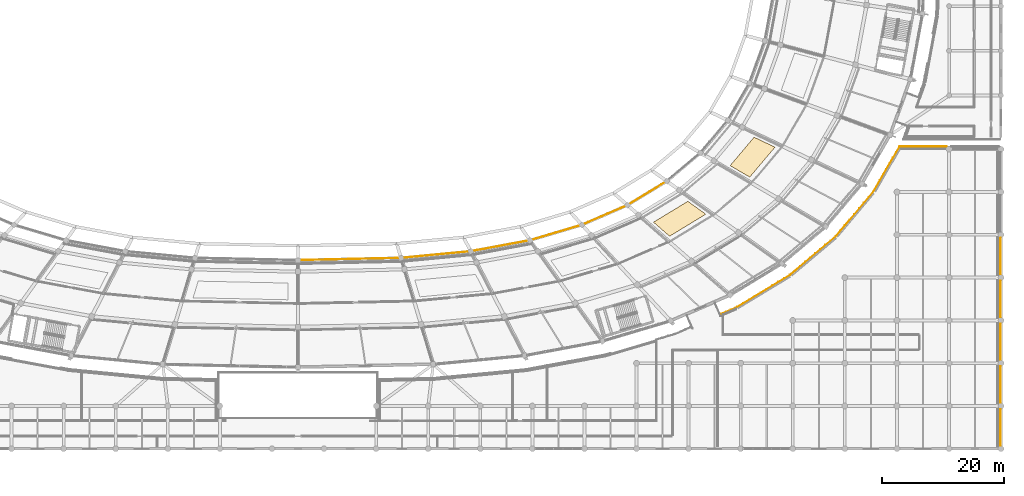
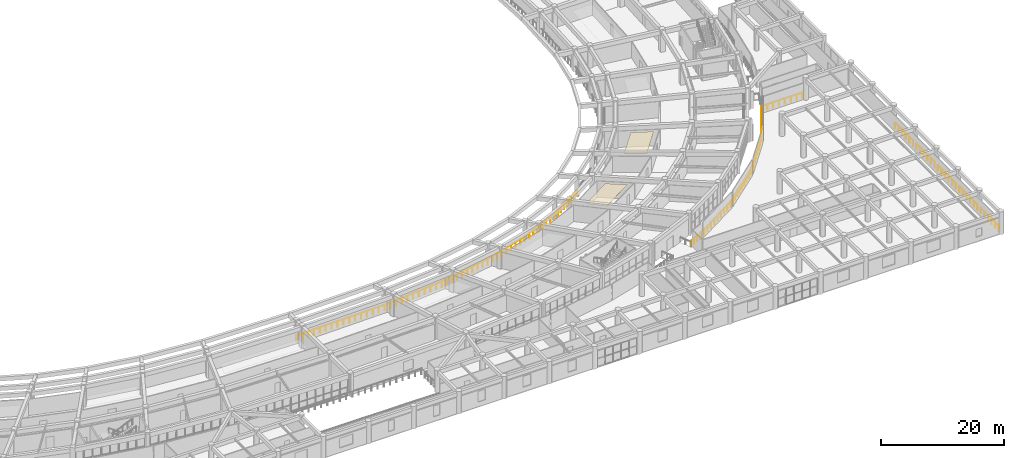
# One storey, part 130 of 145: 7 railings, 2 coverings.
"""IFC4 building model written with IfcOpenShell, lengths in metres."""

from ifc_helpers import new_model, si_unit, direction, frame, origin, origin_2d, place, context, subcontext, project, spatial, polyline, circle, outline, extrude, material, layer, layer_set, type_object, element, save


model = new_model("IFC4")

# Units and contexts
model_context = context("Model", 3, precision=1e-05, world=origin(), true_north=direction((0.0, 1.0)))
body_context = subcontext(model_context, "Body", "Model", "MODEL_VIEW")
ifc_project = project(units=[si_unit("LENGTHUNIT", "METRE"), si_unit("AREAUNIT", "SQUARE_METRE"), si_unit("VOLUMEUNIT", "CUBIC_METRE"), si_unit("PLANEANGLEUNIT", "RADIAN"), si_unit("MASSUNIT", "GRAM", prefix="KILO")], contexts=[model_context])

# Site, building, storey
site_placement = place(None, origin())
site = spatial("IfcSite", under=ifc_project, at=site_placement, CompositionType="ELEMENT")
building_placement = place(site_placement, origin())
building = spatial("IfcBuilding", under=site, at=building_placement, Name="Mphavela Belvedere Stadium", CompositionType="ELEMENT")
storey_placement = place(building_placement, frame((0.0, 0.0, 10.199951171875)))
storey = spatial("IfcBuildingStorey", under=building, at=storey_placement, Name="L02", CompositionType="ELEMENT", Elevation=10.199951171875)

# Coverings
ifc_material_1 = material(Name="Perforated acoustic mineral ceiling tile")
ifc_layer = layer(ifc_material_1, 0.0400390625)
ifc_layer_set = layer_set([ifc_layer], Name="Perforated acoustic mineral ceiling tile")
covering_type = type_object("IfcCoveringType", Name="COV-CEILING-ACOUSTIC", PredefinedType="CEILING", material=ifc_layer_set)
covering_1_placement = place(storey_placement, frame((0.0, 0.0, 3.199951171875)))
element("IfcCovering", 1, at=covering_1_placement, inside=storey, type_object=covering_type, Name="Concourse acoustic ceiling L02-42", PredefinedType="CEILING", context=body_context, shape_type="SweptSolid", body=[
    extrude(outline(polyline([(173.1455078125, 37.06103515625), (178.76025390625, 40.476806640625), (181.699462890625, 38.370849609375), (175.770751953125, 34.763916015625), (173.1455078125, 37.06103515625)])), origin(), (0.0, 0.0, 1.0), 0.0400390625),
])
covering_2_placement = place(storey_placement, frame((0.0, 0.0, 3.199951171875)))
element("IfcCovering", 2, at=covering_2_placement, inside=storey, type_object=covering_type, Name="Concourse acoustic ceiling L02-44", PredefinedType="CEILING", context=body_context, shape_type="SweptSolid", body=[
    extrude(outline(polyline([(185.67919921875, 46.316650390625), (189.597900390625, 50.95751953125), (193.023193359375, 49.336181640625), (188.885009765625, 44.435546875), (185.67919921875, 46.316650390625)])), origin(), (0.0, 0.0, 1.0), 0.0400390625),
])

# Railings
ifc_material_2 = material(Name="Bronze and laminated glass stadium balustrade", Category="glass")
railing_type = type_object("IfcRailingType", Name="RAL-BALUSTRADE-1120", PredefinedType="BALUSTRADE", material=ifc_material_2)
railing_1_placement = place(storey_placement, frame((115.0, 30.843994140625, 0.0)))
element("IfcRailing", 3, at=railing_1_placement, inside=storey, type_object=railing_type, Name="Bowl safety balustrade l02_bowl S7", PredefinedType="BALUSTRADE", context=body_context, shape_type="SweptSolid", body=[
    extrude(circle(Radius=0.02392578125, at=origin_2d()), frame((0.0, 0.0, 1.09619140625), z_axis=(0.9997681798, 0.021531062658, 0.0), x_axis=(-0.021531062658, 0.9997681798, 0.0)), (0.0, 0.0, 1.0), 16.861083984375),
    extrude(circle(Radius=0.02392578125, at=origin_2d()), frame((16.857177734375, 0.363037109375, 1.09619140625), z_axis=(0.995485216305, 0.094916722014, 0.0), x_axis=(-0.094916722014, 0.995485216305, 0.0)), (0.0, 0.0, 1.0), 11.453857421875),
    extrude(circle(Radius=0.02392578125, at=origin_2d()), frame((28.25927734375, 1.4501953125, 1.09619140625), z_axis=(0.983092994202, 0.183106976248, 0.0), x_axis=(-0.183106976248, 0.983092994202, 0.0)), (0.0, 0.0, 1.0), 9.869140625),
    extrude(circle(Radius=0.02392578125, at=origin_2d()), frame((37.961669921875, 3.25732421875, 1.09619140625), z_axis=(0.958656973737, 0.284564240033, 0.0), x_axis=(-0.284564240033, 0.958656973737, 0.0)), (0.0, 0.0, 1.0), 8.854736328125),
    extrude(circle(Radius=0.02392578125, at=origin_2d()), frame((46.450439453125, 5.777099609375, 1.09619140625), z_axis=(0.917503251148, 0.397728279273, 0.0), x_axis=(-0.397728279273, 0.917503251148, 0.0)), (0.0, 0.0, 1.0), 8.107666015625),
    extrude(circle(Radius=0.02392578125, at=origin_2d()), frame((53.88916015625, 9.001708984375, 1.09619140625), z_axis=(0.854325951403, 0.51973759606, 0.0), x_axis=(-0.51973759606, 0.854325951403, 0.0)), (0.0, 0.0, 1.0), 7.5478515625),
    extrude(circle(Radius=0.02099609375, at=origin_2d()), origin(), (0.0, 0.0, 1.0), 1.072021484375),
    extrude(circle(Radius=0.02099609375, at=origin_2d()), frame((1.123779296875, 0.024169921875, 0.0)), (0.0, 0.0, 1.0), 1.072021484375),
    extrude(circle(Radius=0.02099609375, at=origin_2d()), frame((2.24755859375, 0.04833984375, 0.0)), (0.0, 0.0, 1.0), 1.072021484375),
    extrude(circle(Radius=0.02099609375, at=origin_2d()), frame((3.371337890625, 0.072509765625, 0.0)), (0.0, 0.0, 1.0), 1.072021484375),
    extrude(circle(Radius=0.02099609375, at=origin_2d()), frame((4.495361328125, 0.096923828125, 0.0)), (0.0, 0.0, 1.0), 1.072021484375),
    extrude(circle(Radius=0.02099609375, at=origin_2d()), frame((5.619140625, 0.12109375, 0.0)), (0.0, 0.0, 1.0), 1.072021484375),
    extrude(circle(Radius=0.02099609375, at=origin_2d()), frame((6.742919921875, 0.145263671875, 0.0)), (0.0, 0.0, 1.0), 1.072021484375),
    extrude(circle(Radius=0.02099609375, at=origin_2d()), frame((7.86669921875, 0.16943359375, 0.0)), (0.0, 0.0, 1.0), 1.072021484375),
    extrude(circle(Radius=0.02099609375, at=origin_2d()), frame((8.990478515625, 0.193603515625, 0.0)), (0.0, 0.0, 1.0), 1.072021484375),
    extrude(circle(Radius=0.02099609375, at=origin_2d()), frame((10.1142578125, 0.2177734375, 0.0)), (0.0, 0.0, 1.0), 1.072021484375),
    extrude(circle(Radius=0.02099609375, at=origin_2d()), frame((11.238037109375, 0.241943359375, 0.0)), (0.0, 0.0, 1.0), 1.072021484375),
    extrude(circle(Radius=0.02099609375, at=origin_2d()), frame((12.36181640625, 0.26611328125, 0.0)), (0.0, 0.0, 1.0), 1.072021484375),
    extrude(circle(Radius=0.02099609375, at=origin_2d()), frame((13.48583984375, 0.29052734375, 0.0)), (0.0, 0.0, 1.0), 1.072021484375),
    extrude(circle(Radius=0.02099609375, at=origin_2d()), frame((14.609619140625, 0.314697265625, 0.0)), (0.0, 0.0, 1.0), 1.072021484375),
    extrude(circle(Radius=0.02099609375, at=origin_2d()), frame((15.7333984375, 0.3388671875, 0.0)), (0.0, 0.0, 1.0), 1.072021484375),
    extrude(circle(Radius=0.02099609375, at=origin_2d()), frame((16.857177734375, 0.363037109375, 0.0)), (0.0, 0.0, 1.0), 1.072021484375),
    extrude(circle(Radius=0.02099609375, at=origin_2d()), frame((17.997314453125, 0.4716796875, 0.0)), (0.0, 0.0, 1.0), 1.072021484375),
    extrude(circle(Radius=0.02099609375, at=origin_2d()), frame((19.1376953125, 0.58056640625, 0.0)), (0.0, 0.0, 1.0), 1.072021484375),
    extrude(circle(Radius=0.02099609375, at=origin_2d()), frame((20.27783203125, 0.689208984375, 0.0)), (0.0, 0.0, 1.0), 1.072021484375),
    extrude(circle(Radius=0.02099609375, at=origin_2d()), frame((21.41796875, 0.7978515625, 0.0)), (0.0, 0.0, 1.0), 1.072021484375),
    extrude(circle(Radius=0.02099609375, at=origin_2d()), frame((22.55810546875, 0.90673828125, 0.0)), (0.0, 0.0, 1.0), 1.072021484375),
    extrude(circle(Radius=0.02099609375, at=origin_2d()), frame((23.698486328125, 1.015380859375, 0.0)), (0.0, 0.0, 1.0), 1.072021484375),
    extrude(circle(Radius=0.02099609375, at=origin_2d()), frame((24.838623046875, 1.1240234375, 0.0)), (0.0, 0.0, 1.0), 1.072021484375),
    extrude(circle(Radius=0.02099609375, at=origin_2d()), frame((25.978759765625, 1.232666015625, 0.0)), (0.0, 0.0, 1.0), 1.072021484375),
    extrude(circle(Radius=0.02099609375, at=origin_2d()), frame((27.119140625, 1.341552734375, 0.0)), (0.0, 0.0, 1.0), 1.072021484375),
    extrude(circle(Radius=0.02099609375, at=origin_2d()), frame((28.25927734375, 1.4501953125, 0.0)), (0.0, 0.0, 1.0), 1.072021484375),
    extrude(circle(Radius=0.02099609375, at=origin_2d()), frame((29.33740234375, 1.65087890625, 0.0)), (0.0, 0.0, 1.0), 1.072021484375),
    extrude(circle(Radius=0.02099609375, at=origin_2d()), frame((30.415283203125, 1.851806640625, 0.0)), (0.0, 0.0, 1.0), 1.072021484375),
    extrude(circle(Radius=0.02099609375, at=origin_2d()), frame((31.493408203125, 2.052490234375, 0.0)), (0.0, 0.0, 1.0), 1.072021484375),
    extrude(circle(Radius=0.02099609375, at=origin_2d()), frame((32.571533203125, 2.25341796875, 0.0)), (0.0, 0.0, 1.0), 1.072021484375),
    extrude(circle(Radius=0.02099609375, at=origin_2d()), frame((33.6494140625, 2.4541015625, 0.0)), (0.0, 0.0, 1.0), 1.072021484375),
    extrude(circle(Radius=0.02099609375, at=origin_2d()), frame((34.7275390625, 2.655029296875, 0.0)), (0.0, 0.0, 1.0), 1.072021484375),
    extrude(circle(Radius=0.02099609375, at=origin_2d()), frame((35.8056640625, 2.855712890625, 0.0)), (0.0, 0.0, 1.0), 1.072021484375),
    extrude(circle(Radius=0.02099609375, at=origin_2d()), frame((36.883544921875, 3.056640625, 0.0)), (0.0, 0.0, 1.0), 1.072021484375),
    extrude(circle(Radius=0.02099609375, at=origin_2d()), frame((37.961669921875, 3.25732421875, 0.0)), (0.0, 0.0, 1.0), 1.072021484375),
    extrude(circle(Radius=0.02099609375, at=origin_2d()), frame((39.022705078125, 3.572265625, 0.0)), (0.0, 0.0, 1.0), 1.072021484375),
    extrude(circle(Radius=0.02099609375, at=origin_2d()), frame((40.083984375, 3.88720703125, 0.0)), (0.0, 0.0, 1.0), 1.072021484375),
    extrude(circle(Radius=0.02099609375, at=origin_2d()), frame((41.14501953125, 4.2021484375, 0.0)), (0.0, 0.0, 1.0), 1.072021484375),
    extrude(circle(Radius=0.02099609375, at=origin_2d()), frame((42.2060546875, 4.51708984375, 0.0)), (0.0, 0.0, 1.0), 1.072021484375),
    extrude(circle(Radius=0.02099609375, at=origin_2d()), frame((43.26708984375, 4.832275390625, 0.0)), (0.0, 0.0, 1.0), 1.072021484375),
    extrude(circle(Radius=0.02099609375, at=origin_2d()), frame((44.328125, 5.147216796875, 0.0)), (0.0, 0.0, 1.0), 1.072021484375),
    extrude(circle(Radius=0.02099609375, at=origin_2d()), frame((45.389404296875, 5.462158203125, 0.0)), (0.0, 0.0, 1.0), 1.072021484375),
    extrude(circle(Radius=0.02099609375, at=origin_2d()), frame((46.450439453125, 5.777099609375, 0.0)), (0.0, 0.0, 1.0), 1.072021484375),
    extrude(circle(Radius=0.02099609375, at=origin_2d()), frame((47.51318359375, 6.23779296875, 0.0)), (0.0, 0.0, 1.0), 1.072021484375),
    extrude(circle(Radius=0.02099609375, at=origin_2d()), frame((48.57568359375, 6.698486328125, 0.0)), (0.0, 0.0, 1.0), 1.072021484375),
    extrude(circle(Radius=0.02099609375, at=origin_2d()), frame((49.638427734375, 7.1591796875, 0.0)), (0.0, 0.0, 1.0), 1.072021484375),
    extrude(circle(Radius=0.02099609375, at=origin_2d()), frame((50.701171875, 7.61962890625, 0.0)), (0.0, 0.0, 1.0), 1.072021484375),
    extrude(circle(Radius=0.02099609375, at=origin_2d()), frame((51.763916015625, 8.080322265625, 0.0)), (0.0, 0.0, 1.0), 1.072021484375),
    extrude(circle(Radius=0.02099609375, at=origin_2d()), frame((52.826416015625, 8.541015625, 0.0)), (0.0, 0.0, 1.0), 1.072021484375),
    extrude(circle(Radius=0.02099609375, at=origin_2d()), frame((53.88916015625, 9.001708984375, 0.0)), (0.0, 0.0, 1.0), 1.072021484375),
    extrude(circle(Radius=0.02099609375, at=origin_2d()), frame((54.810302734375, 9.56201171875, 0.0)), (0.0, 0.0, 1.0), 1.072021484375),
    extrude(circle(Radius=0.02099609375, at=origin_2d()), frame((55.7314453125, 10.12255859375, 0.0)), (0.0, 0.0, 1.0), 1.072021484375),
    extrude(circle(Radius=0.02099609375, at=origin_2d()), frame((56.652587890625, 10.682861328125, 0.0)), (0.0, 0.0, 1.0), 1.072021484375),
    extrude(circle(Radius=0.02099609375, at=origin_2d()), frame((57.573974609375, 11.243408203125, 0.0)), (0.0, 0.0, 1.0), 1.072021484375),
    extrude(circle(Radius=0.02099609375, at=origin_2d()), frame((58.4951171875, 11.8037109375, 0.0)), (0.0, 0.0, 1.0), 1.072021484375),
    extrude(circle(Radius=0.02099609375, at=origin_2d()), frame((59.416259765625, 12.3642578125, 0.0)), (0.0, 0.0, 1.0), 1.072021484375),
    extrude(circle(Radius=0.02099609375, at=origin_2d()), frame((60.33740234375, 12.924560546875, 0.0)), (0.0, 0.0, 1.0), 1.072021484375),
])
railing_2_placement = place(storey_placement, frame((184.2744140625, 22.03759765625, 0.0)))
element("IfcRailing", 4, at=railing_2_placement, inside=storey, type_object=railing_type, Name="Peristyle wing gallery edge balustrade L02-07", PredefinedType="BALUSTRADE", context=body_context, shape_type="SweptSolid", body=[
    extrude(circle(Radius=0.02392578125, at=origin_2d()), frame((0.0, 0.0, 1.09619140625), z_axis=(0.917490104343, 0.397758605731, 0.0), x_axis=(-0.397758605731, 0.917490104343, 0.0)), (0.0, 0.0, 1.0), 2.5380859375),
    extrude(circle(Radius=0.02392578125, at=origin_2d()), frame((2.32861328125, 1.009521484375, 1.09619140625), z_axis=(0.887624752967, 0.460567365236, 0.0), x_axis=(-0.460567365236, 0.887624752967, 0.0)), (0.0, 0.0, 1.0), 0.313232421875),
    extrude(circle(Radius=0.02392578125, at=origin_2d()), frame((2.606689453125, 1.15380859375, 1.09619140625), z_axis=(0.853987904956, 0.520292858099, 0.0), x_axis=(-0.520292858099, 0.853987904956, 0.0)), (0.0, 0.0, 1.0), 10.074462890625),
    extrude(circle(Radius=0.02392578125, at=origin_2d()), frame((11.210205078125, 6.3955078125, 1.09619140625), z_axis=(0.764212542959, 0.644964486761, 0.0), x_axis=(-0.644964486761, 0.764212542959, 0.0)), (0.0, 0.0, 1.0), 9.765869140625),
    extrude(circle(Radius=0.02392578125, at=origin_2d()), frame((18.67333984375, 12.694091796875, 1.09619140625), z_axis=(0.645159914066, 0.764047567421, 0.0), x_axis=(-0.764047567421, 0.645159914066, 0.0)), (0.0, 0.0, 1.0), 9.544921875),
    extrude(circle(Radius=0.02392578125, at=origin_2d()), frame((24.831298828125, 19.98681640625, 1.09619140625), z_axis=(0.501496666229, 0.86515957705, 0.0), x_axis=(-0.86515957705, 0.501496666229, 0.0)), (0.0, 0.0, 1.0), 8.548095703125),
    extrude(circle(Radius=0.02392578125, at=origin_2d()), frame((29.1181640625, 27.38232421875, 1.09619140625), z_axis=(1.0, 0.0, 0.0), x_axis=(0.0, 1.0, 0.0)), (0.0, 0.0, 1.0), 7.73388671875),
    extrude(circle(Radius=0.02099609375, at=origin_2d()), origin(), (0.0, 0.0, 1.0), 1.072021484375),
    extrude(circle(Radius=0.02099609375, at=origin_2d()), frame((0.776123046875, 0.33642578125, 0.0)), (0.0, 0.0, 1.0), 1.072021484375),
    extrude(circle(Radius=0.02099609375, at=origin_2d()), frame((1.552490234375, 0.673095703125, 0.0)), (0.0, 0.0, 1.0), 1.072021484375),
    extrude(circle(Radius=0.02099609375, at=origin_2d()), frame((2.32861328125, 1.009521484375, 0.0)), (0.0, 0.0, 1.0), 1.072021484375),
    extrude(circle(Radius=0.02099609375, at=origin_2d()), frame((2.606689453125, 1.15380859375, 0.0)), (0.0, 0.0, 1.0), 1.072021484375),
    extrude(circle(Radius=0.02099609375, at=origin_2d()), frame((3.562744140625, 1.736328125, 0.0)), (0.0, 0.0, 1.0), 1.072021484375),
    extrude(circle(Radius=0.02099609375, at=origin_2d()), frame((4.5185546875, 2.318603515625, 0.0)), (0.0, 0.0, 1.0), 1.072021484375),
    extrude(circle(Radius=0.02099609375, at=origin_2d()), frame((5.474609375, 2.901123046875, 0.0)), (0.0, 0.0, 1.0), 1.072021484375),
    extrude(circle(Radius=0.02099609375, at=origin_2d()), frame((6.430419921875, 3.4833984375, 0.0)), (0.0, 0.0, 1.0), 1.072021484375),
    extrude(circle(Radius=0.02099609375, at=origin_2d()), frame((7.386474609375, 4.06591796875, 0.0)), (0.0, 0.0, 1.0), 1.072021484375),
    extrude(circle(Radius=0.02099609375, at=origin_2d()), frame((8.34228515625, 4.648193359375, 0.0)), (0.0, 0.0, 1.0), 1.072021484375),
    extrude(circle(Radius=0.02099609375, at=origin_2d()), frame((9.29833984375, 5.230712890625, 0.0)), (0.0, 0.0, 1.0), 1.072021484375),
    extrude(circle(Radius=0.02099609375, at=origin_2d()), frame((10.254150390625, 5.81298828125, 0.0)), (0.0, 0.0, 1.0), 1.072021484375),
    extrude(circle(Radius=0.02099609375, at=origin_2d()), frame((11.210205078125, 6.3955078125, 0.0)), (0.0, 0.0, 1.0), 1.072021484375),
    extrude(circle(Radius=0.02099609375, at=origin_2d()), frame((12.03955078125, 7.095458984375, 0.0)), (0.0, 0.0, 1.0), 1.072021484375),
    extrude(circle(Radius=0.02099609375, at=origin_2d()), frame((12.86865234375, 7.795166015625, 0.0)), (0.0, 0.0, 1.0), 1.072021484375),
    extrude(circle(Radius=0.02099609375, at=origin_2d()), frame((13.697998046875, 8.4951171875, 0.0)), (0.0, 0.0, 1.0), 1.072021484375),
    extrude(circle(Radius=0.02099609375, at=origin_2d()), frame((14.527099609375, 9.19482421875, 0.0)), (0.0, 0.0, 1.0), 1.072021484375),
    extrude(circle(Radius=0.02099609375, at=origin_2d()), frame((15.3564453125, 9.894775390625, 0.0)), (0.0, 0.0, 1.0), 1.072021484375),
    extrude(circle(Radius=0.02099609375, at=origin_2d()), frame((16.185546875, 10.594482421875, 0.0)), (0.0, 0.0, 1.0), 1.072021484375),
    extrude(circle(Radius=0.02099609375, at=origin_2d()), frame((17.014892578125, 11.29443359375, 0.0)), (0.0, 0.0, 1.0), 1.072021484375),
    extrude(circle(Radius=0.02099609375, at=origin_2d()), frame((17.843994140625, 11.994140625, 0.0)), (0.0, 0.0, 1.0), 1.072021484375),
    extrude(circle(Radius=0.02099609375, at=origin_2d()), frame((18.67333984375, 12.694091796875, 0.0)), (0.0, 0.0, 1.0), 1.072021484375),
    extrude(circle(Radius=0.02099609375, at=origin_2d()), frame((19.443115234375, 13.605712890625, 0.0)), (0.0, 0.0, 1.0), 1.072021484375),
    extrude(circle(Radius=0.02099609375, at=origin_2d()), frame((20.212890625, 14.517333984375, 0.0)), (0.0, 0.0, 1.0), 1.072021484375),
    extrude(circle(Radius=0.02099609375, at=origin_2d()), frame((20.982666015625, 15.428955078125, 0.0)), (0.0, 0.0, 1.0), 1.072021484375),
    extrude(circle(Radius=0.02099609375, at=origin_2d()), frame((21.75244140625, 16.34033203125, 0.0)), (0.0, 0.0, 1.0), 1.072021484375),
    extrude(circle(Radius=0.02099609375, at=origin_2d()), frame((22.52197265625, 17.251953125, 0.0)), (0.0, 0.0, 1.0), 1.072021484375),
    extrude(circle(Radius=0.02099609375, at=origin_2d()), frame((23.291748046875, 18.16357421875, 0.0)), (0.0, 0.0, 1.0), 1.072021484375),
    extrude(circle(Radius=0.02099609375, at=origin_2d()), frame((24.0615234375, 19.0751953125, 0.0)), (0.0, 0.0, 1.0), 1.072021484375),
    extrude(circle(Radius=0.02099609375, at=origin_2d()), frame((24.831298828125, 19.98681640625, 0.0)), (0.0, 0.0, 1.0), 1.072021484375),
    extrude(circle(Radius=0.02099609375, at=origin_2d()), frame((25.3671875, 20.9111328125, 0.0)), (0.0, 0.0, 1.0), 1.072021484375),
    extrude(circle(Radius=0.02099609375, at=origin_2d()), frame((25.903076171875, 21.835693359375, 0.0)), (0.0, 0.0, 1.0), 1.072021484375),
    extrude(circle(Radius=0.02099609375, at=origin_2d()), frame((26.43896484375, 22.76025390625, 0.0)), (0.0, 0.0, 1.0), 1.072021484375),
    extrude(circle(Radius=0.02099609375, at=origin_2d()), frame((26.974609375, 23.6845703125, 0.0)), (0.0, 0.0, 1.0), 1.072021484375),
    extrude(circle(Radius=0.02099609375, at=origin_2d()), frame((27.510498046875, 24.60888671875, 0.0)), (0.0, 0.0, 1.0), 1.072021484375),
    extrude(circle(Radius=0.02099609375, at=origin_2d()), frame((28.04638671875, 25.533447265625, 0.0)), (0.0, 0.0, 1.0), 1.072021484375),
    extrude(circle(Radius=0.02099609375, at=origin_2d()), frame((28.582275390625, 26.4580078125, 0.0)), (0.0, 0.0, 1.0), 1.072021484375),
    extrude(circle(Radius=0.02099609375, at=origin_2d()), frame((29.1181640625, 27.38232421875, 0.0)), (0.0, 0.0, 1.0), 1.072021484375),
    extrude(circle(Radius=0.02099609375, at=origin_2d()), frame((30.222900390625, 27.38232421875, 0.0)), (0.0, 0.0, 1.0), 1.072021484375),
    extrude(circle(Radius=0.02099609375, at=origin_2d()), frame((31.327880859375, 27.38232421875, 0.0)), (0.0, 0.0, 1.0), 1.072021484375),
    extrude(circle(Radius=0.02099609375, at=origin_2d()), frame((32.4326171875, 27.38232421875, 0.0)), (0.0, 0.0, 1.0), 1.072021484375),
    extrude(circle(Radius=0.02099609375, at=origin_2d()), frame((33.53759765625, 27.38232421875, 0.0)), (0.0, 0.0, 1.0), 1.072021484375),
    extrude(circle(Radius=0.02099609375, at=origin_2d()), frame((34.642333984375, 27.38232421875, 0.0)), (0.0, 0.0, 1.0), 1.072021484375),
    extrude(circle(Radius=0.02099609375, at=origin_2d()), frame((35.747314453125, 27.38232421875, 0.0)), (0.0, 0.0, 1.0), 1.072021484375),
    extrude(circle(Radius=0.02099609375, at=origin_2d()), frame((36.85205078125, 27.38232421875, 0.0)), (0.0, 0.0, 1.0), 1.072021484375),
])
for number, where, name in (
    (5, (229.919921875, 34.45654296875, 0.0), "Peristyle wing gallery edge balustrade L02-11"),
    (6, (229.919921875, 27.45654296875, 0.0), "Peristyle wing gallery edge balustrade L02-12"),
    (7, (229.919921875, 20.45654296875, 0.0), "Peristyle wing gallery edge balustrade L02-13"),
    (8, (229.919921875, 13.45654296875, 0.0), "Peristyle wing gallery edge balustrade L02-14"),
    (9, (229.919921875, 6.45654296875, 0.0), "Peristyle wing gallery edge balustrade L02-15"),
):
    element("IfcRailing", number, at=place(storey_placement, frame(where)), inside=storey, type_object=railing_type, Name=name, PredefinedType="BALUSTRADE", context=body_context, shape_type="SweptSolid", body=[
        extrude(circle(Radius=0.02392578125, at=origin_2d()), frame((0.0, 0.0, 1.09619140625), z_axis=(0.0, -1.0, 0.0), x_axis=(1.0, 0.0, 0.0)), (0.0, 0.0, 1.0), 5.9130859375),
        extrude(circle(Radius=0.02099609375, at=origin_2d()), origin(), (0.0, 0.0, 1.0), 1.072021484375),
        extrude(circle(Radius=0.02099609375, at=origin_2d()), frame((0.0, -1.1826171875, 0.0)), (0.0, 0.0, 1.0), 1.072021484375),
        extrude(circle(Radius=0.02099609375, at=origin_2d()), frame((0.0, -2.365234375, 0.0)), (0.0, 0.0, 1.0), 1.072021484375),
        extrude(circle(Radius=0.02099609375, at=origin_2d()), frame((0.0, -3.5478515625, 0.0)), (0.0, 0.0, 1.0), 1.072021484375),
        extrude(circle(Radius=0.02099609375, at=origin_2d()), frame((0.0, -4.73046875, 0.0)), (0.0, 0.0, 1.0), 1.072021484375),
        extrude(circle(Radius=0.02099609375, at=origin_2d()), frame((0.0, -5.9130859375, 0.0)), (0.0, 0.0, 1.0), 1.072021484375),
    ])

save(model, "model.ifc")
